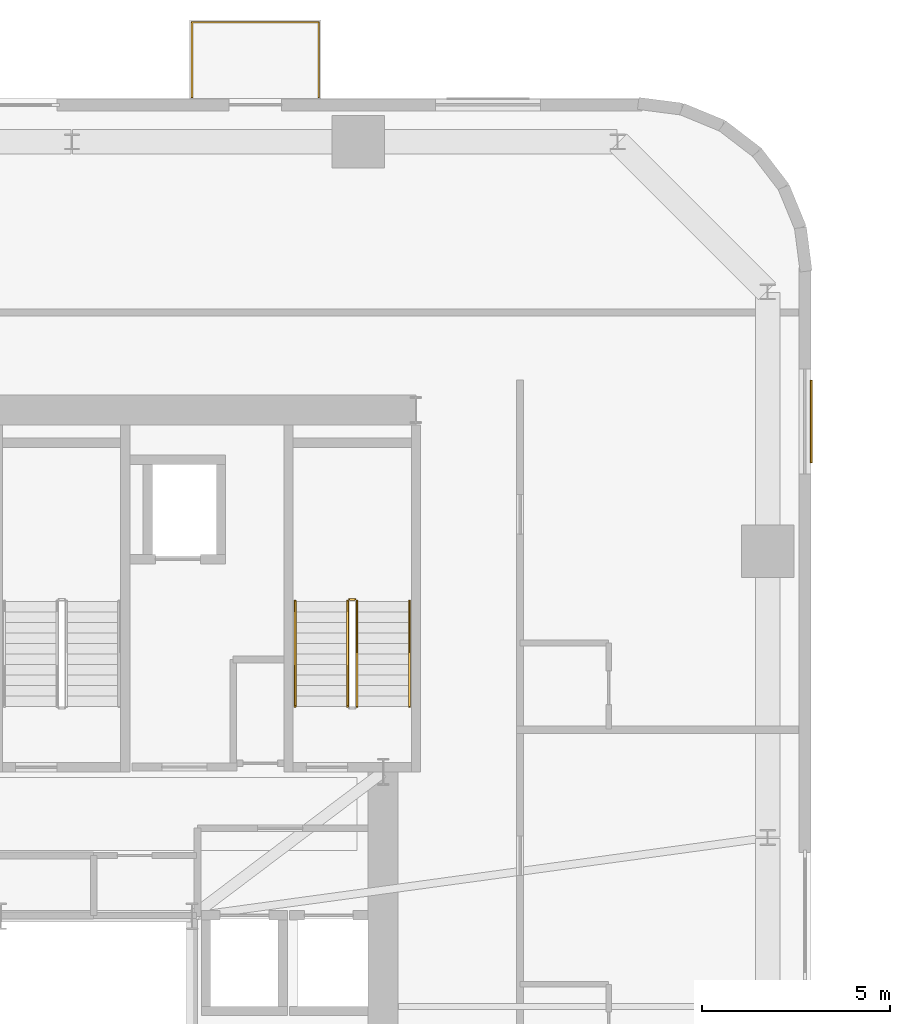
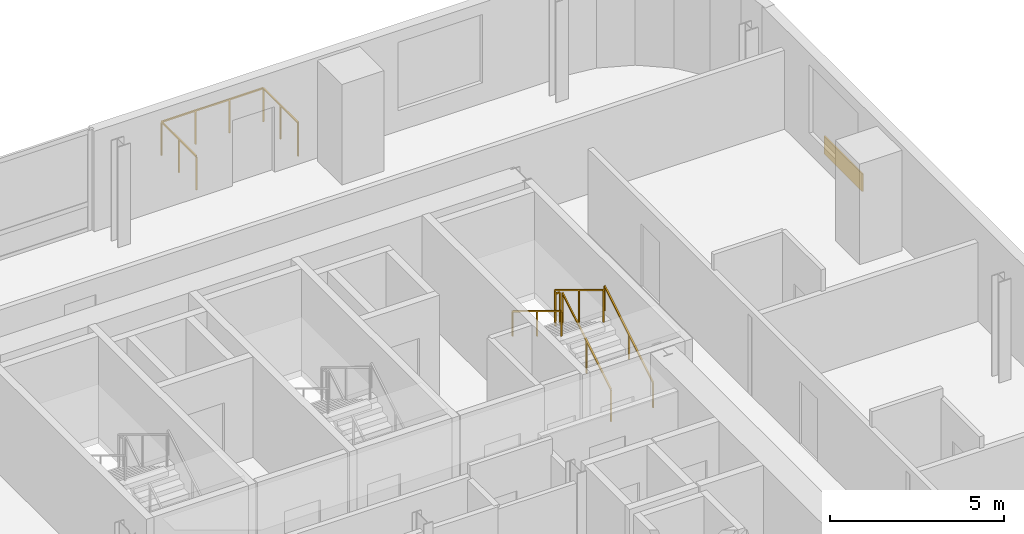
# One storey, part 16 of 16: 6 railings, 1 covering.
"""IFC4 building model written with IfcOpenShell, lengths in metres."""

from ifc_helpers import new_model, si_unit, direction, frame, origin, origin_2d, place, context, subcontext, project, spatial, rectangle, extrude, source, transform, mapped, material, layer, layer_set, type_object, element, save


model = new_model("IFC4")

# Units and contexts
model_context = context("Model", 3, precision=1e-05, world=origin(), true_north=direction((0.0, 1.0)))
body_context = subcontext(model_context, "Body", "Model", "MODEL_VIEW")
ifc_project = project(units=[si_unit("LENGTHUNIT", "METRE"), si_unit("AREAUNIT", "SQUARE_METRE"), si_unit("VOLUMEUNIT", "CUBIC_METRE"), si_unit("PLANEANGLEUNIT", "RADIAN"), si_unit("MASSUNIT", "GRAM", prefix="KILO")], contexts=[model_context])

# Site, building, storey
site_placement = place(None, origin())
site = spatial("IfcSite", under=ifc_project, at=site_placement, CompositionType="ELEMENT")
building_placement = place(site_placement, origin())
building = spatial("IfcBuilding", under=site, at=building_placement, Name="Vardaveli Station Tower", CompositionType="ELEMENT")
storey_placement = place(building_placement, frame((0.0, 0.0, 188.550048828125)))
storey = spatial("IfcBuildingStorey", under=building, at=storey_placement, Name="L48", CompositionType="ELEMENT", Elevation=188.550048828125)

# Covering
ifc_material_1 = material(Name="Ventilated honed travertine stone cladding", Category="masonry")
ifc_layer = layer(ifc_material_1, 0.044921875, Name="Ventilated honed travertine stone cladding")
ifc_layer_set = layer_set([ifc_layer], Name="Ventilated honed travertine stone cladding")
covering_type = type_object("IfcCoveringType", Name="COV-CLAD-TR45", PredefinedType="CLADDING", material=ifc_layer_set)
shared_shape_1 = source(origin(), body_context, "Body", "SweptSolid", [
    extrude(rectangle(XDim=2.199951171875, YDim=0.044921875, at=origin_2d()), origin(), (0.0, 0.0, 1.0), 0.6201171875),
])
covering_placement = place(storey_placement, frame((57.91455078125, 39.9951171875, 0.06982421875), z_axis=(0.0, 0.0, 1.0), x_axis=(0.0, 1.0, 0.0)))
element("IfcCovering", 1, at=covering_placement, inside=storey, type_object=covering_type, Name="CLD-TR-L48-E", PredefinedType="CLADDING", context=body_context, shape_type="MappedRepresentation", body=[
    mapped(shared_shape_1, transform((0.0, 0.0, 0.0), scale=1.0)),
])

# Railings
ifc_material_2 = material(Name="Laminated glass and stainless steel balustrade", Category="steel")
railing_type_1 = type_object("IfcRailingType", Name="RL-BAL-1200", PredefinedType="BALUSTRADE", material=ifc_material_2)
shared_shape_2 = source(origin(), body_context, "Body", "SweptSolid", [
    extrude(rectangle(XDim=0.048095703125, YDim=0.048095703125, at=origin_2d()), frame((0.0, 0.0, 1.17578125), z_axis=(0.0, 1.0, 0.0), x_axis=(-1.0, 0.0, 0.0)), (0.0, 0.0, 1.0), 2.0),
    extrude(rectangle(XDim=0.048095703125, YDim=0.048095703125, at=origin_2d()), frame((0.0, 2.0, 1.17578125), z_axis=(1.0, 0.0, 0.0), x_axis=(0.0, 1.0, 0.0)), (0.0, 0.0, 1.0), 3.3798828125),
    extrude(rectangle(XDim=0.048095703125, YDim=0.048095703125, at=origin_2d()), frame((3.3798828125, 2.0, 1.17578125), z_axis=(0.0, -1.0, 0.0), x_axis=(1.0, 0.0, 0.0)), (0.0, 0.0, 1.0), 2.0),
    extrude(rectangle(XDim=0.0419921875, YDim=0.0419921875, at=origin_2d()), origin(), (0.0, 0.0, 1.0), 1.15185546875),
    extrude(rectangle(XDim=0.0419921875, YDim=0.0419921875, at=origin_2d()), frame((0.0, 1.0, 0.0)), (0.0, 0.0, 1.0), 1.15185546875),
    extrude(rectangle(XDim=0.0419921875, YDim=0.0419921875, at=origin_2d()), frame((0.0, 2.0, 0.0)), (0.0, 0.0, 1.0), 1.15185546875),
    extrude(rectangle(XDim=0.0419921875, YDim=0.0419921875, at=origin_2d()), frame((1.126708984375, 2.0, 0.0)), (0.0, 0.0, 1.0), 1.15185546875),
    extrude(rectangle(XDim=0.0419921875, YDim=0.0419921875, at=origin_2d()), frame((2.253173828125, 2.0, 0.0)), (0.0, 0.0, 1.0), 1.15185546875),
    extrude(rectangle(XDim=0.0419921875, YDim=0.0419921875, at=origin_2d()), frame((3.3798828125, 2.0, 0.0)), (0.0, 0.0, 1.0), 1.15185546875),
    extrude(rectangle(XDim=0.0419921875, YDim=0.0419921875, at=origin_2d()), frame((3.3798828125, 1.0, 0.0)), (0.0, 0.0, 1.0), 1.15185546875),
    extrude(rectangle(XDim=0.0419921875, YDim=0.0419921875, at=origin_2d()), frame((3.3798828125, 0.0, 0.0)), (0.0, 0.0, 1.0), 1.15185546875),
])
railing_1_placement = place(storey_placement, frame((41.399658203125, 48.639892578125, 0.0)))
element("IfcRailing", 2, at=railing_1_placement, inside=storey, type_object=railing_type_1, Name="RL-LOG-L48-02", PredefinedType="BALUSTRADE", context=body_context, shape_type="MappedRepresentation", body=[
    mapped(shared_shape_2, transform((0.0, 0.0, 0.0), scale=1.0)),
])
ifc_material_3 = material(Name="Brushed AISI 316 stainless steel", Category="steel")
railing_type_2 = type_object("IfcRailingType", Name="RL-GUARD-1150", PredefinedType="GUARDRAIL", material=ifc_material_3)
shared_shape_3 = source(origin(), body_context, "Body", "SweptSolid", [
    extrude(rectangle(XDim=0.048095703125, YDim=0.048095703125, at=origin_2d()), frame((0.0, 0.0, 1.1259765625), z_axis=(-1.0, 0.0, 0.0), x_axis=(0.0, -1.0, 0.0)), (0.0, 0.0, 1.0), 0.14990234375),
    extrude(rectangle(XDim=0.0419921875, YDim=0.0419921875, at=origin_2d()), origin(), (0.0, 0.0, 1.0), 1.101806640625),
    extrude(rectangle(XDim=0.0419921875, YDim=0.0419921875, at=origin_2d()), frame((-0.14990234375, 0.0, 0.0)), (0.0, 0.0, 1.0), 1.101806640625),
])
railing_2_placement = place(storey_placement, frame((45.75, 35.25, 1.875)))
element("IfcRailing", 3, at=railing_2_placement, inside=storey, type_object=railing_type_2, Name="L48 ST-3 stair guard 2", PredefinedType="GUARDRAIL", context=body_context, shape_type="MappedRepresentation", body=[
    mapped(shared_shape_3, transform((0.0, 0.0, 0.0), scale=1.0)),
])
shared_shape_4 = source(origin(), body_context, "Body", "SweptSolid", [
    extrude(rectangle(XDim=0.048095703125, YDim=0.048095703125, at=origin_2d()), frame((0.0, 0.0, 1.1259765625), z_axis=(0.0, 0.854169791009, 0.51999420009), x_axis=(-1.0, 0.0, 0.0)), (0.0, 0.0, 1.0), 3.278076171875),
    extrude(rectangle(XDim=0.0419921875, YDim=0.0419921875, at=origin_2d()), origin(), (0.0, 0.0, 1.0), 1.101806640625),
    extrude(rectangle(XDim=0.0419921875, YDim=0.0419921875, at=origin_2d()), frame((0.0, 1.39990234375, 0.852294921875)), (0.0, 0.0, 1.0), 1.101806640625),
    extrude(rectangle(XDim=0.0419921875, YDim=0.0419921875, at=origin_2d()), frame((0.0, 2.800048828125, 1.70458984375)), (0.0, 0.0, 1.0), 1.101806640625),
])
railing_3_placement = place(storey_placement, frame((45.800048828125, 32.39990234375, 0.17041015625)))
element("IfcRailing", 4, at=railing_3_placement, inside=storey, type_object=railing_type_2, Name="L48 ST-3 stair guard 1", PredefinedType="GUARDRAIL", context=body_context, shape_type="MappedRepresentation", body=[
    mapped(shared_shape_4, transform((0.0, 0.0, 0.0), scale=1.0)),
])
shared_shape_5 = source(origin(), body_context, "Body", "SweptSolid", [
    extrude(rectangle(XDim=0.048095703125, YDim=0.048095703125, at=origin_2d()), frame((0.0, 0.0, 1.1259765625), z_axis=(0.0, -0.854169791009, 0.51999420009), x_axis=(1.0, 0.0, 0.0)), (0.0, 0.0, 1.0), 3.278076171875),
    extrude(rectangle(XDim=0.0419921875, YDim=0.0419921875, at=origin_2d()), origin(), (0.0, 0.0, 1.0), 1.101806640625),
    extrude(rectangle(XDim=0.0419921875, YDim=0.0419921875, at=origin_2d()), frame((0.0, -1.39990234375, 0.852294921875)), (0.0, 0.0, 1.0), 1.101806640625),
    extrude(rectangle(XDim=0.0419921875, YDim=0.0419921875, at=origin_2d()), frame((0.0, -2.800048828125, 1.70458984375)), (0.0, 0.0, 1.0), 1.101806640625),
])
railing_4_placement = place(storey_placement, frame((45.550048828125, 35.199951171875, 2.04541015625)))
element("IfcRailing", 5, at=railing_4_placement, inside=storey, type_object=railing_type_2, Name="L48 ST-3 stair guard 3", PredefinedType="GUARDRAIL", context=body_context, shape_type="MappedRepresentation", body=[
    mapped(shared_shape_5, transform((0.0, 0.0, 0.0), scale=1.0)),
])
railing_type_3 = type_object("IfcRailingType", Name="RL-HAND-900", PredefinedType="HANDRAIL", material=ifc_material_3)
shared_shape_6 = source(origin(), body_context, "Body", "SweptSolid", [
    extrude(rectangle(XDim=0.048095703125, YDim=0.048095703125, at=origin_2d()), frame((0.0, 0.0, 0.8759765625), z_axis=(0.0, 0.854169791009, 0.51999420009), x_axis=(-1.0, 0.0, 0.0)), (0.0, 0.0, 1.0), 3.278076171875),
    extrude(rectangle(XDim=0.0419921875, YDim=0.0419921875, at=origin_2d()), origin(), (0.0, 0.0, 1.0), 0.851806640625),
    extrude(rectangle(XDim=0.0419921875, YDim=0.0419921875, at=origin_2d()), frame((0.0, 1.39990234375, 0.852294921875)), (0.0, 0.0, 1.0), 0.851806640625),
    extrude(rectangle(XDim=0.0419921875, YDim=0.0419921875, at=origin_2d()), frame((0.0, 2.800048828125, 1.70458984375)), (0.0, 0.0, 1.0), 0.851806640625),
])
railing_5_placement = place(storey_placement, frame((47.199951171875, 32.39990234375, 0.17041015625)))
element("IfcRailing", 6, at=railing_5_placement, inside=storey, type_object=railing_type_3, Name="L48 ST-3 stair handrail 1", PredefinedType="HANDRAIL", context=body_context, shape_type="MappedRepresentation", body=[
    mapped(shared_shape_6, transform((0.0, 0.0, 0.0), scale=1.0)),
])
shared_shape_7 = source(origin(), body_context, "Body", "SweptSolid", [
    extrude(rectangle(XDim=0.048095703125, YDim=0.048095703125, at=origin_2d()), frame((0.0, 0.0, 0.8759765625), z_axis=(0.0, -0.854169791009, 0.51999420009), x_axis=(1.0, 0.0, 0.0)), (0.0, 0.0, 1.0), 3.278076171875),
    extrude(rectangle(XDim=0.0419921875, YDim=0.0419921875, at=origin_2d()), origin(), (0.0, 0.0, 1.0), 0.851806640625),
    extrude(rectangle(XDim=0.0419921875, YDim=0.0419921875, at=origin_2d()), frame((0.0, -1.39990234375, 0.852294921875)), (0.0, 0.0, 1.0), 0.851806640625),
    extrude(rectangle(XDim=0.0419921875, YDim=0.0419921875, at=origin_2d()), frame((0.0, -2.800048828125, 1.70458984375)), (0.0, 0.0, 1.0), 0.851806640625),
])
railing_6_placement = place(storey_placement, frame((44.14990234375, 35.199951171875, 2.04541015625)))
element("IfcRailing", 7, at=railing_6_placement, inside=storey, type_object=railing_type_3, Name="L48 ST-3 stair handrail 2", PredefinedType="HANDRAIL", context=body_context, shape_type="MappedRepresentation", body=[
    mapped(shared_shape_7, transform((0.0, 0.0, 0.0), scale=1.0)),
])

save(model, "model.ifc")
